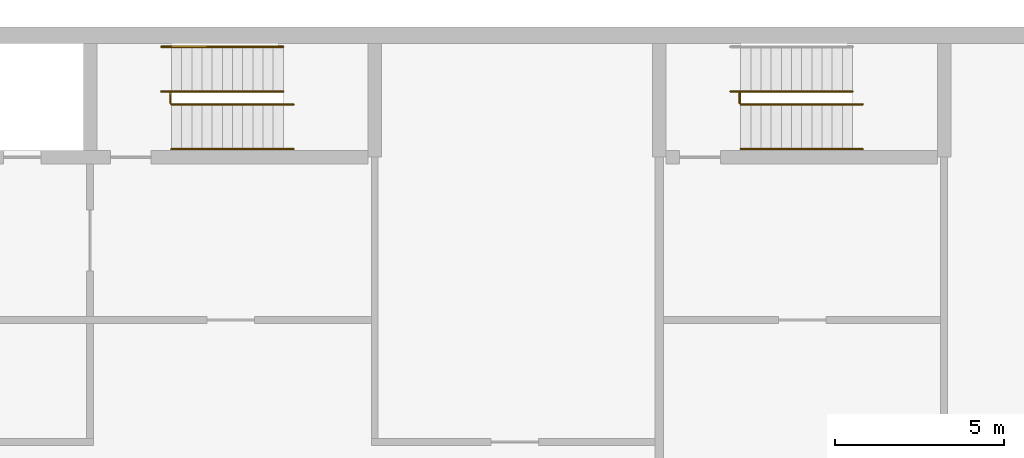
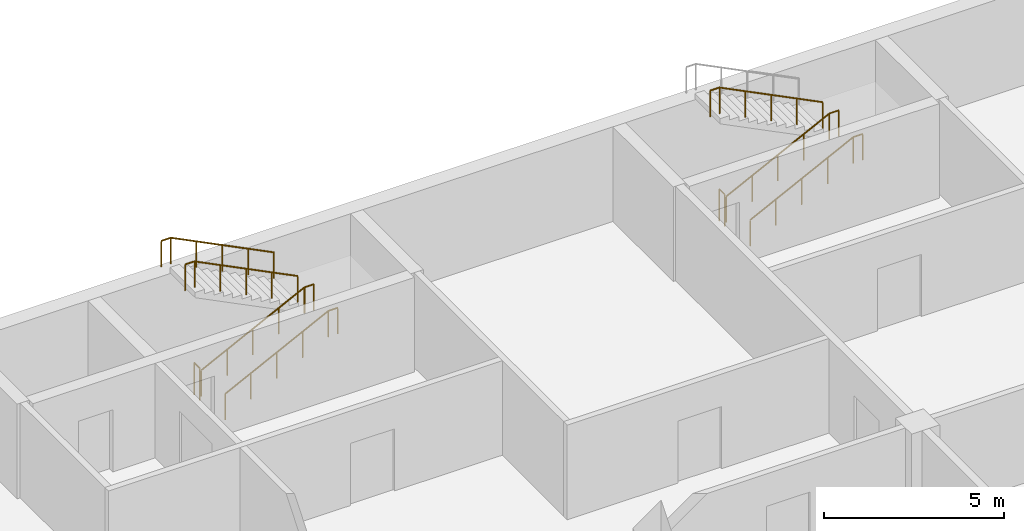
# One storey, part 9 of 12: 9 railings.
"""IFC4 building model written with IfcOpenShell, lengths in metres."""

from ifc_helpers import new_model, si_unit, direction, frame, origin, origin_2d, place, context, subcontext, project, spatial, circle, extrude, material, type_object, element, save


model = new_model("IFC4")

# Units and contexts
model_context = context("Model", 3, precision=1e-05, world=origin(), true_north=direction((0.0, 1.0)))
body_context = subcontext(model_context, "Body", "Model", "MODEL_VIEW")
ifc_project = project(units=[si_unit("LENGTHUNIT", "METRE"), si_unit("AREAUNIT", "SQUARE_METRE"), si_unit("VOLUMEUNIT", "CUBIC_METRE"), si_unit("PLANEANGLEUNIT", "RADIAN"), si_unit("MASSUNIT", "GRAM", prefix="KILO")], contexts=[model_context])

# Site, building, storey
site_placement = place(None, origin())
site = spatial("IfcSite", under=ifc_project, at=site_placement, CompositionType="ELEMENT")
building_placement = place(site_placement, origin())
building = spatial("IfcBuilding", under=site, at=building_placement, Name="Yavir Park General Hospital", CompositionType="ELEMENT")
storey_placement = place(building_placement, frame((0.0, 0.0, -11.39990234375)))
storey = spatial("IfcBuildingStorey", under=building, at=storey_placement, Name="B3", CompositionType="ELEMENT", Elevation=-11.39990234375)

# Railings
ifc_material_1 = material(Name="Steel balustrade with infill rods", Category="steel")
railing_type_1 = type_object("IfcRailingType", Name="Stair guard, steel balustrade 1100 mm", PredefinedType="GUARDRAIL", material=ifc_material_1)
for number, where, name in (
    (1, (52.77001953125, 31.60009765625, 0.0), "Stair well guard BS2 B3"),
    (2, (69.570068359375, 31.60009765625, 0.0), "Stair well guard BS3 B3"),
):
    element("IfcRailing", number, at=place(storey_placement, frame(where)), inside=storey, type_object=railing_type_1, Name=name, PredefinedType="GUARDRAIL", context=body_context, shape_type="SweptSolid", body=[
        extrude(circle(Radius=0.02392578125, at=origin_2d()), frame((0.0, 0.0, 1.076171875), z_axis=(0.0, 1.0, 0.0), x_axis=(-1.0, 0.0, 0.0)), (0.0, 0.0, 1.0), 0.2998046875),
        extrude(circle(Radius=0.02099609375, at=origin_2d()), origin(), (0.0, 0.0, 1.0), 1.052001953125),
        extrude(circle(Radius=0.02099609375, at=origin_2d()), frame((0.0, 0.2998046875, 0.0)), (0.0, 0.0, 1.0), 1.052001953125),
    ])
ifc_material_2 = material(Name="Stainless steel tube 48 mm", Category="steel")
railing_type_2 = type_object("IfcRailingType", Name="Stair handrail, steel tube, 900 mm above the nosings", PredefinedType="HANDRAIL", material=ifc_material_2)
for number, where, name in (
    (3, (52.800048828125, 30.239990234375, 0.14990234375), "Handrail BS2 B3 1"),
    (4, (52.800048828125, 31.56005859375, 0.14990234375), "Handrail BS2 B3 2"),
):
    element("IfcRailing", number, at=place(storey_placement, frame(where)), inside=storey, type_object=railing_type_2, Name=name, PredefinedType="HANDRAIL", context=body_context, shape_type="SweptSolid", body=[
        extrude(circle(Radius=0.02392578125, at=origin_2d()), frame((0.0, 0.0, 0.8759765625), z_axis=(0.894440424912, 0.0, 0.447187126696), x_axis=(0.0, 1.0, 0.0)), (0.0, 0.0, 1.0), 3.689453125),
        extrude(circle(Radius=0.02392578125, at=origin_2d()), frame((3.300048828125, 0.0, 2.52587890625), z_axis=(1.0, 0.0, 0.0), x_axis=(0.0, 1.0, 0.0)), (0.0, 0.0, 1.0), 0.2998046875),
        extrude(circle(Radius=0.02099609375, at=origin_2d()), origin(), (0.0, 0.0, 1.0), 0.851806640625),
        extrude(circle(Radius=0.02099609375, at=origin_2d()), frame((0.824951171875, 0.0, 0.41259765625)), (0.0, 0.0, 1.0), 0.851806640625),
        extrude(circle(Radius=0.02099609375, at=origin_2d()), frame((1.64990234375, 0.0, 0.824951171875)), (0.0, 0.0, 1.0), 0.851806640625),
        extrude(circle(Radius=0.02099609375, at=origin_2d()), frame((2.47509765625, 0.0, 1.2373046875)), (0.0, 0.0, 1.0), 0.851806640625),
        extrude(circle(Radius=0.02099609375, at=origin_2d()), frame((3.300048828125, 0.0, 1.64990234375)), (0.0, 0.0, 1.0), 0.851806640625),
        extrude(circle(Radius=0.02099609375, at=origin_2d()), frame((3.599853515625, 0.0, 1.64990234375)), (0.0, 0.0, 1.0), 0.851806640625),
    ])
for number, where, name in (
    (5, (56.10009765625, 33.260009765625, 1.949951171875), "Handrail BS2 B3 3"),
    (6, (56.10009765625, 31.93994140625, 1.949951171875), "Handrail BS2 B3 4"),
):
    element("IfcRailing", number, at=place(storey_placement, frame(where)), inside=storey, type_object=railing_type_2, Name=name, PredefinedType="HANDRAIL", context=body_context, shape_type="SweptSolid", body=[
        extrude(circle(Radius=0.02392578125, at=origin_2d()), frame((0.0, 0.0, 0.8759765625), z_axis=(-0.894440424912, 0.0, 0.447187126696), x_axis=(0.0, -1.0, 0.0)), (0.0, 0.0, 1.0), 3.689453125),
        extrude(circle(Radius=0.02392578125, at=origin_2d()), frame((-3.300048828125, 0.0, 2.52587890625), z_axis=(-1.0, 0.0, 0.0), x_axis=(0.0, -1.0, 0.0)), (0.0, 0.0, 1.0), 0.300048828125),
        extrude(circle(Radius=0.02099609375, at=origin_2d()), origin(), (0.0, 0.0, 1.0), 0.851806640625),
        extrude(circle(Radius=0.02099609375, at=origin_2d()), frame((-0.824951171875, 0.0, 0.41259765625)), (0.0, 0.0, 1.0), 0.851806640625),
        extrude(circle(Radius=0.02099609375, at=origin_2d()), frame((-1.64990234375, 0.0, 0.824951171875)), (0.0, 0.0, 1.0), 0.851806640625),
        extrude(circle(Radius=0.02099609375, at=origin_2d()), frame((-2.47509765625, 0.0, 1.2373046875)), (0.0, 0.0, 1.0), 0.851806640625),
        extrude(circle(Radius=0.02099609375, at=origin_2d()), frame((-3.300048828125, 0.0, 1.64990234375)), (0.0, 0.0, 1.0), 0.851806640625),
        extrude(circle(Radius=0.02099609375, at=origin_2d()), frame((-3.60009765625, 0.0, 1.64990234375)), (0.0, 0.0, 1.0), 0.851806640625),
    ])
for number, where, name in (
    (7, (69.60009765625, 30.239990234375, 0.14990234375), "Handrail BS3 B3 1"),
    (8, (69.60009765625, 31.56005859375, 0.14990234375), "Handrail BS3 B3 2"),
):
    element("IfcRailing", number, at=place(storey_placement, frame(where)), inside=storey, type_object=railing_type_2, Name=name, PredefinedType="HANDRAIL", context=body_context, shape_type="SweptSolid", body=[
        extrude(circle(Radius=0.02392578125, at=origin_2d()), frame((0.0, 0.0, 0.8759765625), z_axis=(0.894427191, 0.0, 0.4472135955), x_axis=(0.0, 1.0, 0.0)), (0.0, 0.0, 1.0), 3.689208984375),
        extrude(circle(Radius=0.02392578125, at=origin_2d()), frame((3.2998046875, 0.0, 2.52587890625), z_axis=(1.0, 0.0, 0.0), x_axis=(0.0, 1.0, 0.0)), (0.0, 0.0, 1.0), 0.300048828125),
        extrude(circle(Radius=0.02099609375, at=origin_2d()), origin(), (0.0, 0.0, 1.0), 0.851806640625),
        extrude(circle(Radius=0.02099609375, at=origin_2d()), frame((0.824951171875, 0.0, 0.41259765625)), (0.0, 0.0, 1.0), 0.851806640625),
        extrude(circle(Radius=0.02099609375, at=origin_2d()), frame((1.64990234375, 0.0, 0.824951171875)), (0.0, 0.0, 1.0), 0.851806640625),
        extrude(circle(Radius=0.02099609375, at=origin_2d()), frame((2.474853515625, 0.0, 1.2373046875)), (0.0, 0.0, 1.0), 0.851806640625),
        extrude(circle(Radius=0.02099609375, at=origin_2d()), frame((3.2998046875, 0.0, 1.64990234375)), (0.0, 0.0, 1.0), 0.851806640625),
        extrude(circle(Radius=0.02099609375, at=origin_2d()), frame((3.599853515625, 0.0, 1.64990234375)), (0.0, 0.0, 1.0), 0.851806640625),
    ])
railing_placement = place(storey_placement, frame((72.89990234375, 31.93994140625, 1.949951171875)))
element("IfcRailing", 9, at=railing_placement, inside=storey, type_object=railing_type_2, Name="Handrail BS3 B3 4", PredefinedType="HANDRAIL", context=body_context, shape_type="SweptSolid", body=[
    extrude(circle(Radius=0.02392578125, at=origin_2d()), frame((0.0, 0.0, 0.8759765625), z_axis=(-0.894427191, 0.0, 0.4472135955), x_axis=(0.0, -1.0, 0.0)), (0.0, 0.0, 1.0), 3.689208984375),
    extrude(circle(Radius=0.02392578125, at=origin_2d()), frame((-3.2998046875, 0.0, 2.52587890625), z_axis=(-1.0, 0.0, 0.0), x_axis=(0.0, -1.0, 0.0)), (0.0, 0.0, 1.0), 0.300048828125),
    extrude(circle(Radius=0.02099609375, at=origin_2d()), origin(), (0.0, 0.0, 1.0), 0.851806640625),
    extrude(circle(Radius=0.02099609375, at=origin_2d()), frame((-0.824951171875, 0.0, 0.41259765625)), (0.0, 0.0, 1.0), 0.851806640625),
    extrude(circle(Radius=0.02099609375, at=origin_2d()), frame((-1.64990234375, 0.0, 0.824951171875)), (0.0, 0.0, 1.0), 0.851806640625),
    extrude(circle(Radius=0.02099609375, at=origin_2d()), frame((-2.474853515625, 0.0, 1.2373046875)), (0.0, 0.0, 1.0), 0.851806640625),
    extrude(circle(Radius=0.02099609375, at=origin_2d()), frame((-3.2998046875, 0.0, 1.64990234375)), (0.0, 0.0, 1.0), 0.851806640625),
    extrude(circle(Radius=0.02099609375, at=origin_2d()), frame((-3.599853515625, 0.0, 1.64990234375)), (0.0, 0.0, 1.0), 0.851806640625),
])

save(model, "model.ifc")
